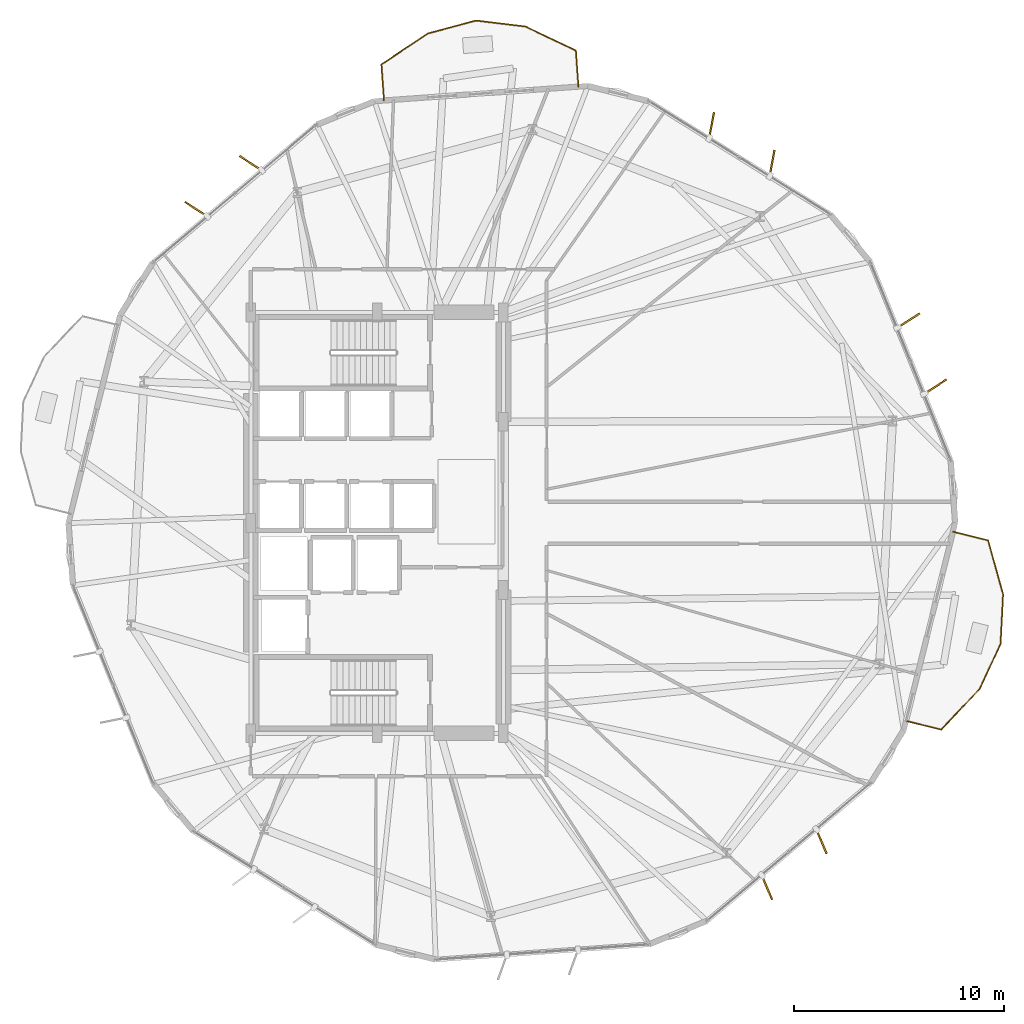
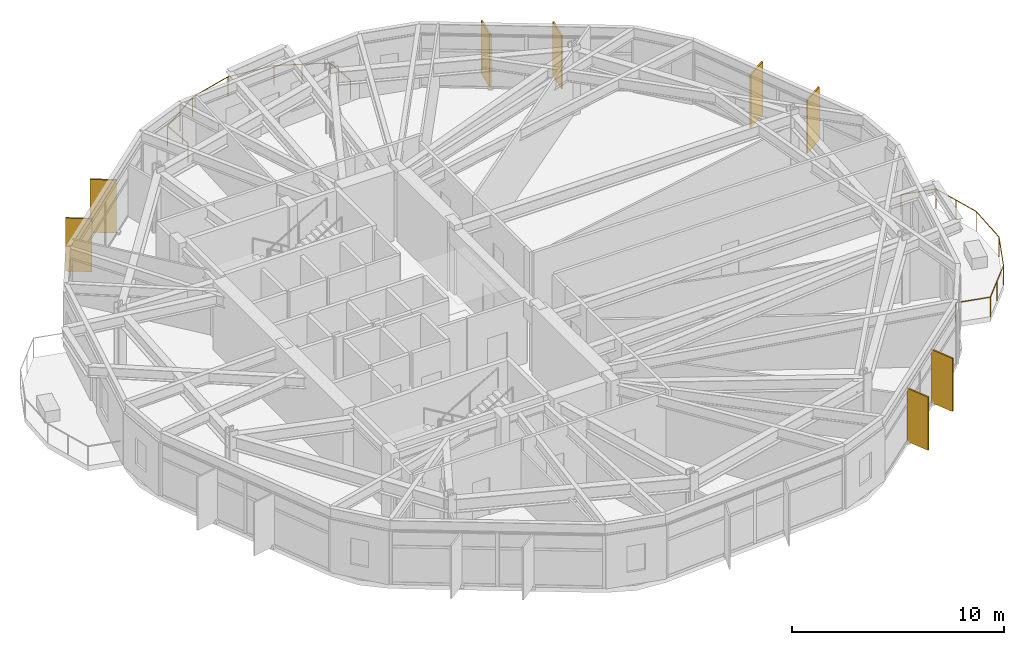
# One storey, part 22 of 22: 8 shading devices, 2 railings.
"""IFC4 building model written with IfcOpenShell, lengths in metres."""

from ifc_helpers import new_model, si_unit, direction, frame, origin, origin_2d, place, context, subcontext, project, spatial, rectangle, circle, extrude, material, layer, layer_set, type_object, element, save


model = new_model("IFC4")

# Units and contexts
model_context = context("Model", 3, precision=1e-05, world=origin(), true_north=direction((0.0, 1.0)))
body_context = subcontext(model_context, "Body", "Model", "MODEL_VIEW")
ifc_project = project(units=[si_unit("LENGTHUNIT", "METRE"), si_unit("AREAUNIT", "SQUARE_METRE"), si_unit("VOLUMEUNIT", "CUBIC_METRE"), si_unit("PLANEANGLEUNIT", "RADIAN"), si_unit("MASSUNIT", "GRAM", prefix="KILO")], contexts=[model_context])

# Site, building, storey
site_placement = place(None, origin())
site = spatial("IfcSite", under=ifc_project, at=site_placement, CompositionType="ELEMENT")
building_placement = place(site_placement, origin())
building = spatial("IfcBuilding", under=site, at=building_placement, Name="Soratama Intermodal Tower", CompositionType="ELEMENT")
storey_placement = place(building_placement, frame((0.0, 0.0, 42.60009765625)))
storey = spatial("IfcBuildingStorey", under=building, at=storey_placement, Name="L09", CompositionType="ELEMENT", Elevation=42.60009765625)

# Railings
ifc_material_1 = material(Name="Laminated glass and stainless steel balustrade", Category="steel")
railing_type = type_object("IfcRailingType", Name="RL-BAL-1150", PredefinedType="BALUSTRADE", material=ifc_material_1)
railing_1_placement = place(storey_placement, frame((65.956787109375, 24.57861328125, 0.0)))
element("IfcRailing", 1, at=railing_1_placement, inside=storey, type_object=railing_type, Name="L09 Balcony Balustrade 1", PredefinedType="BALUSTRADE", context=body_context, shape_type="SweptSolid", body=[
    extrude(circle(Radius=0.02392578125, at=origin_2d()), frame((0.0, 0.0, 1.1259765625), z_axis=(0.970624851547, -0.240597999908, 0.0), x_axis=(0.240597999908, 0.970624851547, 0.0)), (0.0, 0.0, 1.0), 1.719970703125),
    extrude(circle(Radius=0.02392578125, at=origin_2d()), frame((1.66943359375, -0.413818359375, 1.1259765625), z_axis=(0.268694066161, -0.963225570056, 0.0), x_axis=(0.963225570056, 0.268694066161, 0.0)), (0.0, 0.0, 1.0), 2.661376953125),
    extrude(circle(Radius=0.02392578125, at=origin_2d()), frame((2.384521484375, -2.977294921875, 1.1259765625), z_axis=(-0.051325898962, -0.99868195743, 0.0), x_axis=(0.99868195743, -0.051325898962, 0.0)), (0.0, 0.0, 1.0), 2.359375),
    extrude(circle(Radius=0.02392578125, at=origin_2d()), frame((2.263427734375, -5.33349609375, 1.1259765625), z_axis=(-0.420907617062, -0.907103510025, 0.0), x_axis=(0.907103510025, -0.420907617062, 0.0)), (0.0, 0.0, 1.0), 2.359619140625),
    extrude(circle(Radius=0.02392578125, at=origin_2d()), frame((1.270263671875, -7.473876953125, 1.1259765625), z_axis=(-0.687487637644, -0.726196081018, 0.0), x_axis=(0.726196081018, -0.687487637644, 0.0)), (0.0, 0.0, 1.0), 2.66162109375),
    extrude(circle(Radius=0.02392578125, at=origin_2d()), frame((-0.5595703125, -9.40673828125, 1.1259765625), z_axis=(-0.970624851547, 0.240597999908, 0.0), x_axis=(-0.240597999908, -0.970624851547, 0.0)), (0.0, 0.0, 1.0), 1.719970703125),
    extrude(circle(Radius=0.02099609375, at=origin_2d()), origin(), (0.0, 0.0, 1.0), 1.101806640625),
    extrude(circle(Radius=0.02099609375, at=origin_2d()), frame((1.66943359375, -0.413818359375, 0.0)), (0.0, 0.0, 1.0), 1.101806640625),
    extrude(circle(Radius=0.02099609375, at=origin_2d()), frame((2.02685546875, -1.695556640625, 0.0)), (0.0, 0.0, 1.0), 1.101806640625),
    extrude(circle(Radius=0.02099609375, at=origin_2d()), frame((2.384521484375, -2.977294921875, 0.0)), (0.0, 0.0, 1.0), 1.101806640625),
    extrude(circle(Radius=0.02099609375, at=origin_2d()), frame((2.263427734375, -5.33349609375, 0.0)), (0.0, 0.0, 1.0), 1.101806640625),
    extrude(circle(Radius=0.02099609375, at=origin_2d()), frame((1.270263671875, -7.473876953125, 0.0)), (0.0, 0.0, 1.0), 1.101806640625),
    extrude(circle(Radius=0.02099609375, at=origin_2d()), frame((0.35546875, -8.4404296875, 0.0)), (0.0, 0.0, 1.0), 1.101806640625),
    extrude(circle(Radius=0.02099609375, at=origin_2d()), frame((-0.5595703125, -9.40673828125, 0.0)), (0.0, 0.0, 1.0), 1.101806640625),
    extrude(circle(Radius=0.02099609375, at=origin_2d()), frame((-2.22900390625, -8.992919921875, 0.0)), (0.0, 0.0, 1.0), 1.101806640625),
])
railing_2_placement = place(storey_placement, frame((38.9248046875, 45.061279296875, 0.0)))
element("IfcRailing", 2, at=railing_2_placement, inside=storey, type_object=railing_type, Name="L09 Balcony Balustrade 2", PredefinedType="BALUSTRADE", context=body_context, shape_type="SweptSolid", body=[
    extrude(circle(Radius=0.02392578125, at=origin_2d()), frame((0.0, 0.0, 1.1259765625), z_axis=(-0.071257137552, 0.997457979239, 0.0), x_axis=(-0.997457979239, -0.071257137552, 0.0)), (0.0, 0.0, 1.0), 1.719970703125),
    extrude(circle(Radius=0.02392578125, at=origin_2d()), frame((-0.12255859375, 1.715576171875, 1.1259765625), z_axis=(0.833022787957, 0.553238677918, 0.0), x_axis=(-0.553238677918, 0.833022787957, 0.0)), (0.0, 0.0, 1.0), 2.661376953125),
    extrude(circle(Radius=0.02392578125, at=origin_2d()), frame((2.094482421875, 3.18798828125, 1.1259765625), z_axis=(0.965686653133, 0.259710007432, 0.0), x_axis=(-0.259710007432, 0.965686653133, 0.0)), (0.0, 0.0, 1.0), 2.359619140625),
    extrude(circle(Radius=0.02392578125, at=origin_2d()), frame((4.373046875, 3.80078125, 1.1259765625), z_axis=(0.992771188263, -0.120022363563, 0.0), x_axis=(0.120022363563, 0.992771188263, 0.0)), (0.0, 0.0, 1.0), 2.359619140625),
    extrude(circle(Radius=0.02392578125, at=origin_2d()), frame((6.715576171875, 3.517578125, 1.1259765625), z_axis=(0.903129922944, -0.429367374497, 0.0), x_axis=(0.429367374497, 0.903129922944, 0.0)), (0.0, 0.0, 1.0), 2.66162109375),
    extrude(circle(Radius=0.02392578125, at=origin_2d()), frame((9.119384765625, 2.374755859375, 1.1259765625), z_axis=(0.071115909666, -0.997468058332, 0.0), x_axis=(0.997468058332, 0.071115909666, 0.0)), (0.0, 0.0, 1.0), 1.719970703125),
    extrude(circle(Radius=0.02099609375, at=origin_2d()), origin(), (0.0, 0.0, 1.0), 1.101806640625),
    extrude(circle(Radius=0.02099609375, at=origin_2d()), frame((-0.12255859375, 1.715576171875, 0.0)), (0.0, 0.0, 1.0), 1.101806640625),
    extrude(circle(Radius=0.02099609375, at=origin_2d()), frame((0.98583984375, 2.45166015625, 0.0)), (0.0, 0.0, 1.0), 1.101806640625),
    extrude(circle(Radius=0.02099609375, at=origin_2d()), frame((2.094482421875, 3.18798828125, 0.0)), (0.0, 0.0, 1.0), 1.101806640625),
    extrude(circle(Radius=0.02099609375, at=origin_2d()), frame((4.373046875, 3.80078125, 0.0)), (0.0, 0.0, 1.0), 1.101806640625),
    extrude(circle(Radius=0.02099609375, at=origin_2d()), frame((6.715576171875, 3.517578125, 0.0)), (0.0, 0.0, 1.0), 1.101806640625),
    extrude(circle(Radius=0.02099609375, at=origin_2d()), frame((7.91748046875, 2.9462890625, 0.0)), (0.0, 0.0, 1.0), 1.101806640625),
    extrude(circle(Radius=0.02099609375, at=origin_2d()), frame((9.119384765625, 2.374755859375, 0.0)), (0.0, 0.0, 1.0), 1.101806640625),
    extrude(circle(Radius=0.02099609375, at=origin_2d()), frame((9.24169921875, 0.6591796875, 0.0)), (0.0, 0.0, 1.0), 1.101806640625),
])

# Shading devices
ifc_material_2 = material(Name="Champagne anodised aluminium solar fin", Category="aluminium")
ifc_layer = layer(ifc_material_2, 0.080078125)
ifc_layer_set = layer_set([ifc_layer], Name="Champagne anodised aluminium solar fin")
shading_device_type = type_object("IfcShadingDeviceType", Name="SH-FIN-1250", PredefinedType="USERDEFINED", material=ifc_layer_set)
for number, where, z_axis, x_axis, name in (
    (3, (65.121337890625, 31.465576171875, 0.019775390625), (0.0, 0.0, 1.0), (0.838860631735, 0.544346250585, 0.0), "L09 Solar Fin F01-1"),
    (4, (63.84765625, 34.60546875, 0.019775390625), (0.0, 0.0, 1.0), (0.838860631735, 0.544346250585, 0.0), "L09 Solar Fin F01-2"),
    (5, (57.36474609375, 42.08984375, 0.019775390625), (0.0, 0.0, 1.0), (0.182921922448, 0.983127443564, 0.0), "L09 Solar Fin F02-1"),
    (6, (54.48876953125, 43.88134765625, 0.019775390625), (0.0, 0.0, 1.0), (0.182921922448, 0.983127443564, 0.0), "L09 Solar Fin F02-2"),
    (7, (32.593017578125, 42.083251953125, 0.019775390625), (0.0, 0.0, 1.0), (-0.839145535763, 0.543906949587, 0.0), "L09 Solar Fin F04-1"),
    (8, (30.000244140625, 39.901611328125, 0.019775390625), (0.0, 0.0, 1.0), (-0.839145535763, 0.543906949587, 0.0), "L09 Solar Fin F04-2"),
    (9, (57.118896484375, 7.67431640625, 0.019775390625), (0.0, 0.0, 1.0), (0.392497649764, -0.919753007568, 0.0), "L09 Solar Fin F09-1"),
    (10, (59.711669921875, 9.85595703125, 0.019775390625), (0.0, 0.0, 1.0), (0.392497649764, -0.919753007568, 0.0), "L09 Solar Fin F09-2"),
):
    element("IfcShadingDevice", number, at=place(storey_placement, frame(where, z_axis=z_axis, x_axis=x_axis)), inside=storey, type_object=shading_device_type, Name=name, ObjectType="FIN", PredefinedType="USERDEFINED", context=body_context, shape_type="SweptSolid", body=[
        extrude(rectangle(XDim=1.25, YDim=0.080078125, at=origin_2d()), origin(), (0.0, 0.0, 1.0), 3.05908203125),
    ])

save(model, "model.ifc")
